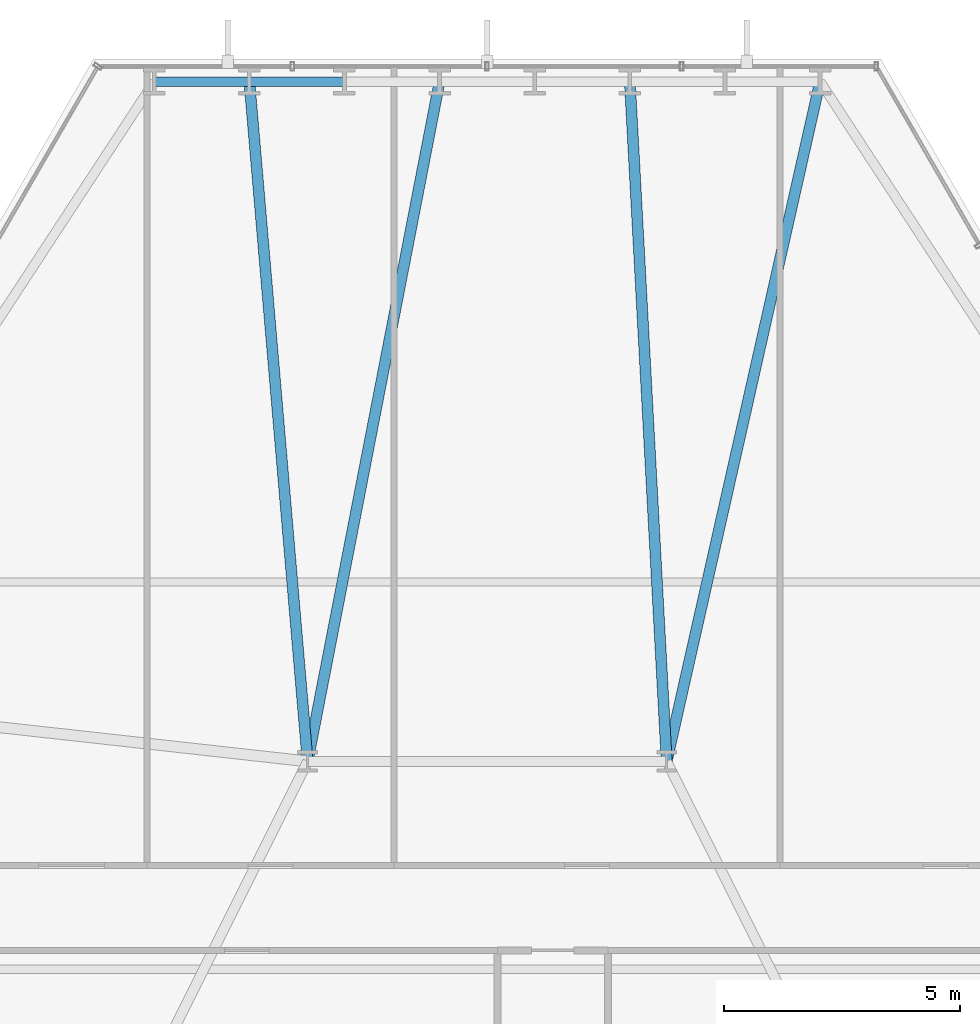
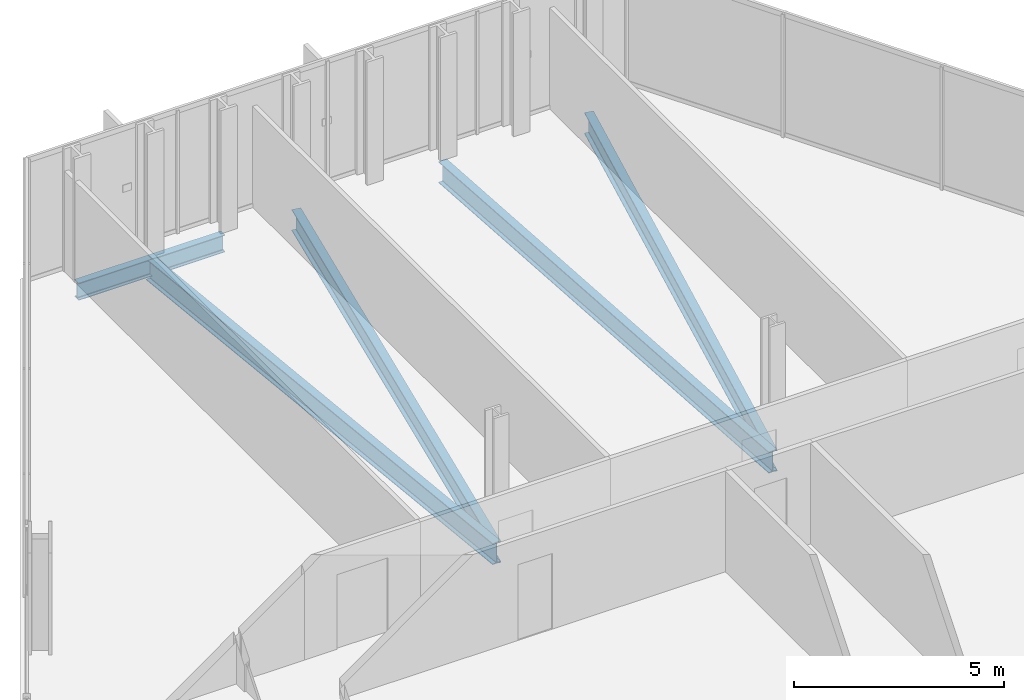
# One storey, part 21 of 33: 6 beams.
"""IFC4 building model written with IfcOpenShell, lengths in metres."""

from ifc_helpers import new_model, si_unit, direction, frame, origin, origin_2d, place, context, subcontext, project, spatial, i_section, extrude, material, material_profile, profile_set, type_object, element, save


model = new_model("IFC4")

# Units and contexts
model_context = context("Model", 3, precision=1e-05, world=origin(), true_north=direction((0.0, 1.0)))
body_context = subcontext(model_context, "Body", "Model", "MODEL_VIEW")
ifc_project = project(units=[si_unit("LENGTHUNIT", "METRE"), si_unit("AREAUNIT", "SQUARE_METRE"), si_unit("VOLUMEUNIT", "CUBIC_METRE"), si_unit("PLANEANGLEUNIT", "RADIAN"), si_unit("MASSUNIT", "GRAM", prefix="KILO")], contexts=[model_context])

# Site, building, storey
site_placement = place(None, origin())
site = spatial("IfcSite", under=ifc_project, at=site_placement, CompositionType="ELEMENT")
building_placement = place(site_placement, origin())
building = spatial("IfcBuilding", under=site, at=building_placement, Name="Ndaravel Arena Tower", CompositionType="ELEMENT")
storey_placement = place(building_placement, frame((0.0, 0.0, 39.800048828125)))
storey = spatial("IfcBuildingStorey", under=building, at=storey_placement, Name="L07", CompositionType="ELEMENT", Elevation=39.800048828125)

# Beams
ifc_material_1 = material(Name="Steel S355", Category="steel")
ifc_material_profile_1 = material_profile(ifc_material_1, i_section(OverallWidth=0.230224609375, OverallDepth=0.6171875, WebThickness=0.01318359375, FlangeThickness=0.022216796875, FilletRadius=0.0126953125, at=origin_2d()), Name="UB 610x229x140")
ifc_profile_set_1 = profile_set([ifc_material_profile_1], Name="Steel S355")
beam_type_1 = type_object("IfcBeamType", Name="BM-GIRD-UB610B", PredefinedType="BEAM", material=ifc_profile_set_1)
beam_1_placement = place(storey_placement, frame((49.04736328125, 45.590087890625, -0.528564453125), z_axis=(-0.220127275775, -0.975471159215, 0.0), x_axis=(0.975471159215, -0.220127275775, 0.0)))
element("IfcBeam", 1, at=beam_1_placement, inside=storey, type_object=beam_type_1, Name="L07 Radial Floor Girder FG-11", PredefinedType="BEAM", context=body_context, shape_type="SweptSolid", body=[
    extrude(i_section(OverallWidth=0.230224609375, OverallDepth=0.6171875, WebThickness=0.01318359375, FlangeThickness=0.022216796875, FilletRadius=0.0126953125, at=origin_2d()), origin(), (0.0, 0.0, 1.0), 14.751953125),
])
beam_2_placement = place(storey_placement, frame((45.020263671875, 45.590087890625, -0.528564453125), z_axis=(0.054109477438, -0.998535009127, 0.0), x_axis=(0.998535009127, 0.054109477438, 0.0)))
element("IfcBeam", 2, at=beam_2_placement, inside=storey, type_object=beam_type_1, Name="L07 Radial Floor Girder FG-13", PredefinedType="BEAM", context=body_context, shape_type="SweptSolid", body=[
    extrude(i_section(OverallWidth=0.230224609375, OverallDepth=0.6171875, WebThickness=0.01318359375, FlangeThickness=0.022216796875, FilletRadius=0.0126953125, at=origin_2d()), origin(), (0.0, 0.0, 1.0), 14.4111328125),
])
beam_3_placement = place(storey_placement, frame((40.9931640625, 45.590087890625, -0.528564453125), z_axis=(-0.190549576234, -0.981677573848, 0.0), x_axis=(0.981677573848, -0.190549576234, 0.0)))
element("IfcBeam", 3, at=beam_3_placement, inside=storey, type_object=beam_type_1, Name="L07 Radial Floor Girder FG-15", PredefinedType="BEAM", context=body_context, shape_type="SweptSolid", body=[
    extrude(i_section(OverallWidth=0.230224609375, OverallDepth=0.6171875, WebThickness=0.01318359375, FlangeThickness=0.022216796875, FilletRadius=0.0126953125, at=origin_2d()), origin(), (0.0, 0.0, 1.0), 14.65869140625),
])
beam_4_placement = place(storey_placement, frame((36.96630859375, 45.590087890625, -0.528564453125), z_axis=(0.085415045216, -0.996345457184, 0.0), x_axis=(0.996345457184, 0.085415045216, 0.0)))
element("IfcBeam", 4, at=beam_4_placement, inside=storey, type_object=beam_type_1, Name="L07 Radial Floor Girder FG-17", PredefinedType="BEAM", context=body_context, shape_type="SweptSolid", body=[
    extrude(i_section(OverallWidth=0.230224609375, OverallDepth=0.6171875, WebThickness=0.01318359375, FlangeThickness=0.022216796875, FilletRadius=0.0126953125, at=origin_2d()), origin(), (0.0, 0.0, 1.0), 14.44287109375),
])
ifc_material_2 = material(Name="Steel S355", Category="steel")
ifc_material_profile_2 = material_profile(ifc_material_2, i_section(OverallWidth=0.199951171875, OverallDepth=0.5, WebThickness=0.01025390625, FlangeThickness=0.01611328125, FilletRadius=0.02099609375, at=origin_2d()), Name="IPE 500")
ifc_profile_set_2 = profile_set([ifc_material_profile_2], Name="Steel S355")
beam_type_2 = type_object("IfcBeamType", Name="BM-SPAN-IPE500", PredefinedType="SPANDREL", material=ifc_profile_set_2)
beam_5_placement = place(storey_placement, frame((38.979736328125, 45.590087890625, -0.469970703125), z_axis=(-1.0, 0.0, 0.0), x_axis=(0.0, -1.0, 0.0)))
element("IfcBeam", 5, at=beam_5_placement, inside=storey, type_object=beam_type_2, Name="L07 Perimeter Spandrel Beam SP-16", PredefinedType="SPANDREL", context=body_context, shape_type="SweptSolid", body=[
    extrude(i_section(OverallWidth=0.199951171875, OverallDepth=0.5, WebThickness=0.01025390625, FlangeThickness=0.01611328125, FilletRadius=0.02099609375, at=origin_2d()), origin(), (0.0, 0.0, 1.0), 2.013427734375),
])
beam_6_placement = place(storey_placement, frame((36.96630859375, 45.590087890625, -0.469970703125), z_axis=(-1.0, 0.0, 0.0), x_axis=(0.0, -1.0, 0.0)))
element("IfcBeam", 6, at=beam_6_placement, inside=storey, type_object=beam_type_2, Name="L07 Perimeter Spandrel Beam SP-17", PredefinedType="SPANDREL", context=body_context, shape_type="SweptSolid", body=[
    extrude(i_section(OverallWidth=0.199951171875, OverallDepth=0.5, WebThickness=0.01025390625, FlangeThickness=0.01611328125, FilletRadius=0.02099609375, at=origin_2d()), origin(), (0.0, 0.0, 1.0), 2.013671875),
])

save(model, "model.ifc")
